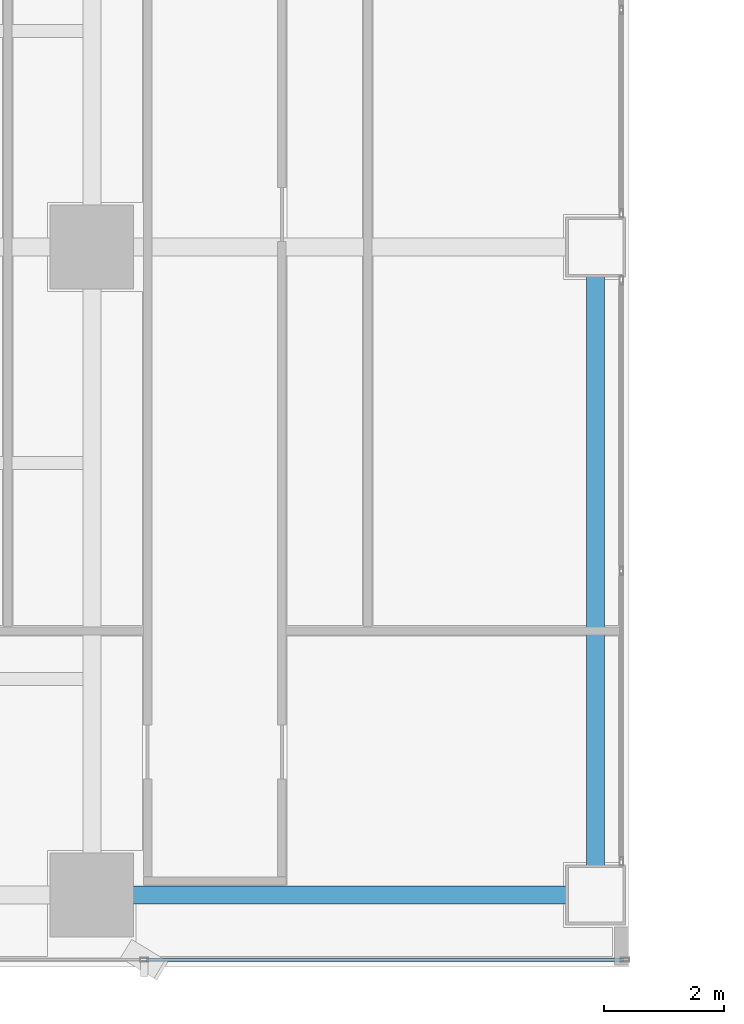
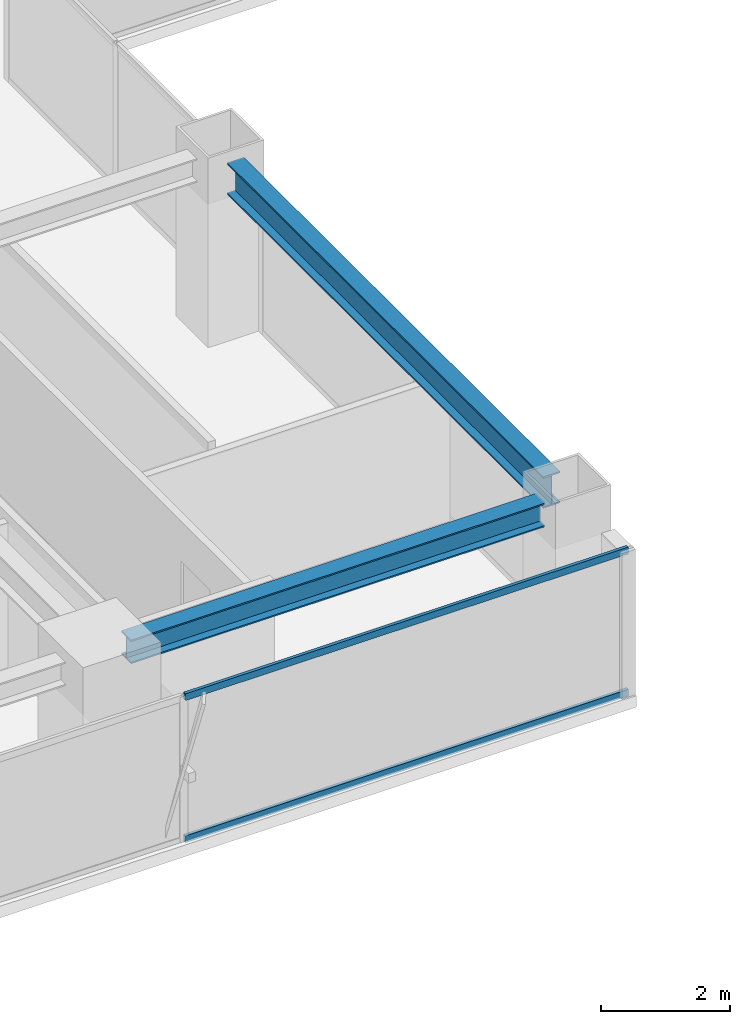
# One storey, part 3 of 30: 2 beams, 2 members, 1 element without a shape of its own.
"""IFC4 building model written with IfcOpenShell, lengths in metres."""

from ifc_helpers import new_model, si_unit, direction, frame, origin, origin_2d, place, context, subcontext, project, spatial, hollow_rectangle, i_section, extrude, source, transform, mapped, material, layer, layer_set, material_profile, profile_set, type_object, element, aggregate, save


model = new_model("IFC4")

# Units and contexts
model_context = context("Model", 3, precision=1e-05, world=origin(), true_north=direction((0.0, 1.0)))
body_context = subcontext(model_context, "Body", "Model", "MODEL_VIEW")
ifc_project = project(units=[si_unit("LENGTHUNIT", "METRE"), si_unit("AREAUNIT", "SQUARE_METRE"), si_unit("VOLUMEUNIT", "CUBIC_METRE"), si_unit("PLANEANGLEUNIT", "RADIAN"), si_unit("MASSUNIT", "GRAM", prefix="KILO")], contexts=[model_context])

# Site, building, storey
site_placement = place(None, origin())
site = spatial("IfcSite", under=ifc_project, at=site_placement, CompositionType="ELEMENT")
building_placement = place(site_placement, origin())
building = spatial("IfcBuilding", under=site, at=building_placement, Name="Sumidabori Civic Tower", CompositionType="ELEMENT")
storey_placement = place(building_placement, frame((0.0, 0.0, 200.0)))
storey = spatial("IfcBuildingStorey", under=building, at=storey_placement, Name="L51", CompositionType="ELEMENT", Elevation=200.0)

# Beams
ifc_material_1 = material(Name="Steel SN490", Category="steel")
ifc_material_profile_1 = material_profile(ifc_material_1, i_section(OverallWidth=0.300048828125, OverallDepth=0.60009765625, WebThickness=0.015380859375, FlangeThickness=0.030029296875, at=origin_2d()), Name="HE 600 B")
ifc_profile_set_1 = profile_set([ifc_material_profile_1], Name="Steel SN490")
beam_type_1 = type_object("IfcBeamType", Name="BM-GIRD-600", PredefinedType="BEAM", material=ifc_profile_set_1)
shared_shape_1 = source(origin(), body_context, "Body", "SweptSolid", [
    extrude(i_section(OverallWidth=0.300048828125, OverallDepth=0.60009765625, WebThickness=0.015380859375, FlangeThickness=0.030029296875, at=origin_2d()), origin(), (0.0, 0.0, 1.0), 9.840087890625),
])
beam_1_placement = place(storey_placement, frame((-8.39990234375, -10.320068359375, 3.080078125), z_axis=(0.0, 1.0, 0.0), x_axis=(-1.0, 0.0, 0.0)))
element("IfcBeam", 1, at=beam_1_placement, inside=storey, type_object=beam_type_1, Name="Primary Girder L51 GY-17", PredefinedType="BEAM", context=body_context, shape_type="MappedRepresentation", body=[
    mapped(shared_shape_1, transform((0.0, 0.0, 0.0), x_axis=(1.0, 0.0, 0.0), y_axis=(0.0, 1.0, 0.0), z_axis=(0.0, 0.0, 1.0), scale=1.0)),
])
ifc_material_profile_2 = material_profile(ifc_material_1, i_section(OverallWidth=0.300048828125, OverallDepth=0.449951171875, WebThickness=0.013916015625, FlangeThickness=0.02587890625, at=origin_2d()), Name="HE 450 B")
ifc_profile_set_2 = profile_set([ifc_material_profile_2], Name="Steel SN490")
beam_type_2 = type_object("IfcBeamType", Name="BM-GIRD-450", PredefinedType="BEAM", material=ifc_profile_set_2)
shared_shape_2 = source(origin(), body_context, "Body", "SweptSolid", [
    extrude(i_section(OverallWidth=0.300048828125, OverallDepth=0.449951171875, WebThickness=0.013916015625, FlangeThickness=0.02587890625, at=origin_2d()), origin(), (0.0, 0.0, 1.0), 7.440185546875),
])
beam_2_placement = place(storey_placement, frame((-16.320068359375, -10.800048828125, 3.155029296875), z_axis=(1.0, 0.0, 0.0), x_axis=(0.0, 1.0, 0.0)))
element("IfcBeam", 2, at=beam_2_placement, inside=storey, type_object=beam_type_2, Name="Primary Girder L51 GX-02", PredefinedType="BEAM", context=body_context, shape_type="MappedRepresentation", body=[
    mapped(shared_shape_2, transform((0.0, 0.0, 0.0), x_axis=(1.0, 0.0, 0.0), y_axis=(0.0, 1.0, 0.0), z_axis=(0.0, 0.0, 1.0), scale=1.0)),
])

# Curtain wall, members
ifc_material_2 = material(Name="Anodised Bronze Aluminium AW-6063-T6", Category="aluminium")
ifc_layer = layer(ifc_material_2, 0.179931640625, Name="Anodised Bronze Aluminium AW-6063-T6")
ifc_layer_set = layer_set([ifc_layer], Name="Anodised Bronze Aluminium AW-6063-T6")
curtain_wall_type = type_object("IfcCurtainWallType", Name="CW-SYS-5", PredefinedType="NOTDEFINED", material=ifc_layer_set)
curtain_wall_placement = place(storey_placement, origin())
curtain_wall = element("IfcCurtainWall", 3, at=curtain_wall_placement, inside=storey, type_object=curtain_wall_type, Name="Curtain Wall CW:L51:R01", PredefinedType="NOTDEFINED")
ifc_material_profile_3 = material_profile(ifc_material_2, hollow_rectangle(XDim=0.06005859375, YDim=0.1298828125, WallThickness=0.0048828125, at=origin_2d()), Name="ALU TRANSOM 130x60")
ifc_profile_set_3 = profile_set([ifc_material_profile_3], Name="Anodised Bronze Aluminium AW-6063-T6")
member_type = type_object("IfcMemberType", Name="CW-TRN-130", PredefinedType="USERDEFINED", material=ifc_profile_set_3)
shared_shape_3 = source(origin(), body_context, "Body", "SweptSolid", [
    extrude(hollow_rectangle(XDim=0.06005859375, YDim=0.1298828125, WallThickness=0.0048828125, at=origin_2d()), origin(), (0.0, 0.0, 1.0), 7.955078125),
])
member_1_placement = place(storey_placement, frame((-15.89501953125, -11.8798828125, 0.030029296875), z_axis=(1.0, 0.0, 0.0), x_axis=(0.0, 1.0, 0.0)))
member_1 = element("IfcMember", 4, at=member_1_placement, type_object=member_type, Name="CW-5 transom 2.1", ObjectType="TRANSOM", PredefinedType="USERDEFINED", context=body_context, shape_type="MappedRepresentation", body=[
    mapped(shared_shape_3, transform((0.0, 0.0, 0.0), x_axis=(1.0, 0.0, 0.0), y_axis=(0.0, 1.0, 0.0), z_axis=(0.0, 0.0, 1.0), scale=1.0)),
])
member_2_placement = place(storey_placement, frame((-15.89501953125, -11.8798828125, 2.72998046875), z_axis=(1.0, 0.0, 0.0), x_axis=(0.0, 1.0, 0.0)))
member_2 = element("IfcMember", 5, at=member_2_placement, type_object=member_type, Name="CW-5 transom 2.2", ObjectType="TRANSOM", PredefinedType="USERDEFINED", context=body_context, shape_type="MappedRepresentation", body=[
    mapped(shared_shape_3, transform((0.0, 0.0, 0.0), x_axis=(1.0, 0.0, 0.0), y_axis=(0.0, 1.0, 0.0), z_axis=(0.0, 0.0, 1.0), scale=1.0)),
])
aggregate(curtain_wall, [member_1, member_2])

save(model, "model.ifc")
